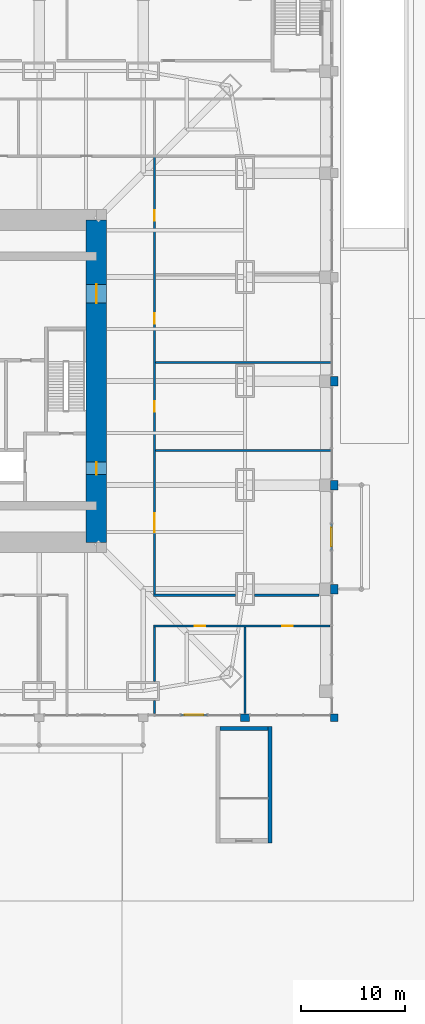
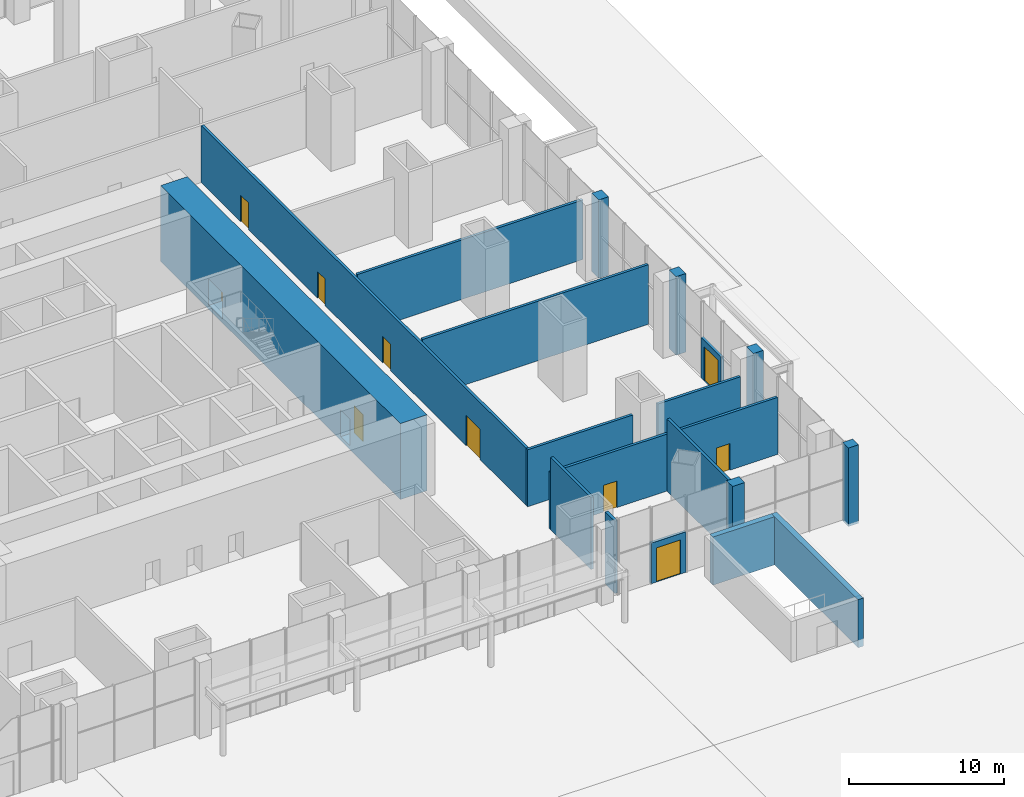
# One storey, part 24 of 31: 19 walls, 10 doors, 10 openings.
"""IFC4 building model written with IfcOpenShell, lengths in metres."""

from ifc_helpers import new_model, si_unit, direction, frame, frame_2d, origin, place, context, subcontext, project, spatial, rectangle, extrude, material, layer, layer_set, type_object, element, fill, save


model = new_model("IFC4")

# Units and contexts
model_context = context("Model", 3, precision=1e-05, world=origin(), true_north=direction((0.0, 1.0)))
body_context = subcontext(model_context, "Body", "Model", "MODEL_VIEW")
ifc_project = project(units=[si_unit("LENGTHUNIT", "METRE"), si_unit("AREAUNIT", "SQUARE_METRE"), si_unit("VOLUMEUNIT", "CUBIC_METRE"), si_unit("PLANEANGLEUNIT", "RADIAN"), si_unit("MASSUNIT", "GRAM", prefix="KILO")], contexts=[model_context])

# Site, building, storey
site_placement = place(None, origin())
site = spatial("IfcSite", under=ifc_project, at=site_placement, CompositionType="ELEMENT")
building_placement = place(site_placement, origin())
building = spatial("IfcBuilding", under=site, at=building_placement, Name="Khuree Lantern Residences", CompositionType="ELEMENT")
storey_placement = place(building_placement, origin())
storey = spatial("IfcBuildingStorey", under=building, at=storey_placement, Name="L00", CompositionType="ELEMENT", Elevation=0.0)

# Wall, openings, doors
ifc_material_1 = material(Name="Concrete C70/85", Category="concrete")
ifc_layer_1 = layer(ifc_material_1, 2.0)
ifc_layer_set_1 = layer_set([ifc_layer_1], Name="CW2000-C70 CORE WALL C70 2000")
wall_type_1 = type_object("IfcWallType", Name="CW2000-C70 CORE WALL C70 2000", PredefinedType="SHEAR", material=ifc_layer_set_1)
wall_1_placement = place(storey_placement, frame((15.5, -15.5, -0.300048828125), z_axis=(0.0, 0.0, 1.0), x_axis=(0.0, 1.0, 0.0)))
wall_1 = element("IfcWall", 1, at=wall_1_placement, inside=storey, type_object=wall_type_1, Name="Core wall E", PredefinedType="SHEAR", context=body_context, shape_type="SweptSolid", body=[
    extrude(rectangle(XDim=31.0, YDim=2.0, at=frame_2d((15.5, 0.0))), origin(), (0.0, 0.0, 1.0), 6.0),
])
opening_1_placement = place(wall_1_placement, frame((6.5, 0.0, 0.300048828125)))
opening_1 = element("IfcOpeningElement", 2, at=opening_1_placement, cuts=wall_1, Name="Opening 00-005", PredefinedType="OPENING", context=body_context, shape_type="SweptSolid", body=[
    extrude(rectangle(XDim=1.199951171875, YDim=2.10009765625, at=frame_2d((0.60009765625, 1.050048828125))), frame((0.0, 1.010009765625, 0.0), z_axis=(0.0, -1.0, 0.0), x_axis=(1.0, 0.0, 0.0)), (0.0, 0.0, 1.0), 2.02001953125),
])
opening_2_placement = place(wall_1_placement, frame((23.0, 0.0, 0.300048828125)))
opening_2 = element("IfcOpeningElement", 3, at=opening_2_placement, cuts=wall_1, Name="Opening 00-006", PredefinedType="OPENING", context=body_context, shape_type="SweptSolid", body=[
    extrude(rectangle(XDim=1.800048828125, YDim=2.10009765625, at=frame_2d((0.89990234375, 1.050048828125))), frame((0.0, 1.010009765625, 0.0), z_axis=(0.0, -1.0, 0.0), x_axis=(1.0, 0.0, 0.0)), (0.0, 0.0, 1.0), 2.02001953125),
])
ifc_material_2 = material(Name="Steel door leaf in steel frame", Category="steel")
door_type_1 = type_object("IfcDoorType", Name="LOBBY DOOR 1200X2100 EI 120", OperationType="SINGLE_SWING_LEFT", PredefinedType="DOOR", material=ifc_material_2)
door_1_placement = place(opening_1_placement, origin())
door_1 = element("IfcDoor", 4, at=door_1_placement, inside=storey, type_object=door_type_1, Name="Firefighting lobby door 00-005", OperationType="SINGLE_SWING_LEFT", OverallHeight=2.10009765625, OverallWidth=1.199951171875, PredefinedType="DOOR", context=body_context, shape_type="SweptSolid", body=[
    extrude(rectangle(XDim=1.199951171875, YDim=2.10009765625, at=frame_2d((0.60009765625, 1.050048828125))), frame((0.0, 0.02490234375, 0.0), z_axis=(0.0, -1.0, 0.0), x_axis=(1.0, 0.0, 0.0)), (0.0, 0.0, 1.0), 0.050048828125),
])
fill(opening_1, door_1)
door_type_2 = type_object("IfcDoorType", Name="LOBBY DOUBLE DOOR 1800X2100 EI 60", OperationType="DOUBLE_DOOR_SINGLE_SWING", PredefinedType="DOOR", material=ifc_material_2)
door_2_placement = place(opening_2_placement, origin())
door_2 = element("IfcDoor", 5, at=door_2_placement, inside=storey, type_object=door_type_2, Name="Lift lobby door 00-006", OperationType="DOUBLE_DOOR_SINGLE_SWING", OverallHeight=2.10009765625, OverallWidth=1.800048828125, PredefinedType="DOOR", context=body_context, shape_type="SweptSolid", body=[
    extrude(rectangle(XDim=1.800048828125, YDim=2.10009765625, at=frame_2d((0.89990234375, 1.050048828125))), frame((0.0, 0.02490234375, 0.0), z_axis=(0.0, -1.0, 0.0), x_axis=(1.0, 0.0, 0.0)), (0.0, 0.0, 1.0), 0.050048828125),
])
fill(opening_2, door_2)

# Wall, opening, door
ifc_material_3 = material(Name="Bronze anodised aluminium insulated panel surround", Category="aluminium")
ifc_layer_2 = layer(ifc_material_3, 0.199951171875)
ifc_layer_set_2 = layer_set([ifc_layer_2], Name="ENTRANCE SCREEN ES1 200")
wall_type_2 = type_object("IfcWallType", Name="ENTRANCE SCREEN ES1 200", PredefinedType="ELEMENTEDWALL", material=ifc_layer_set_2)
wall_2_placement = place(storey_placement, frame((23.60009765625, -32.10009765625, 0.0), z_axis=(0.0, 0.0, 1.0), x_axis=(1.0, 0.0, 0.0)))
wall_2 = element("IfcWall", 6, at=wall_2_placement, inside=storey, type_object=wall_type_2, Name="L00 SOUTH FACE BAY 7 ENTRANCE SCREEN", PredefinedType="ELEMENTEDWALL", context=body_context, shape_type="SweptSolid", body=[
    extrude(rectangle(XDim=2.599853515625, YDim=0.199951171875, at=frame_2d((1.2998046875, 0.0))), origin(), (0.0, 0.0, 1.0), 3.199951171875),
])
opening_3_placement = place(wall_2_placement, frame((2.199951171875, 0.0, 0.0), z_axis=(0.0, 0.0, 1.0), x_axis=(-1.0, 0.0, 0.0)))
opening_3 = element("IfcOpeningElement", 7, at=opening_3_placement, cuts=wall_2, Name="Opening 00-E05", PredefinedType="OPENING", context=body_context, shape_type="SweptSolid", body=[
    extrude(rectangle(XDim=1.800048828125, YDim=2.699951171875, at=frame_2d((0.89990234375, 1.35009765625))), frame((0.0, 0.10986328125, 0.0), z_axis=(0.0, -1.0, 0.0), x_axis=(1.0, 0.0, 0.0)), (0.0, 0.0, 1.0), 0.219970703125),
])
ifc_material_4 = material(Name="Thermally broken bronze anodised aluminium door set, laminated triple glazing", Category="aluminium")
door_type_3 = type_object("IfcDoorType", Name="ENTRANCE DOOR D-E1 1800X2700", OperationType="DOUBLE_DOOR_SINGLE_SWING", PredefinedType="DOOR", material=ifc_material_4)
door_3_placement = place(opening_3_placement, origin())
door_3 = element("IfcDoor", 8, at=door_3_placement, inside=storey, type_object=door_type_3, Name="L00 SOUTH FACE BAY 7 PLAZA ENTRANCE DOOR 00-E05", OperationType="SINGLE_SWING_LEFT", OverallHeight=2.699951171875, OverallWidth=1.800048828125, PredefinedType="DOOR", context=body_context, shape_type="SweptSolid", body=[
    extrude(rectangle(XDim=1.800048828125, YDim=2.699951171875, at=frame_2d((0.89990234375, 1.35009765625))), frame((0.0, 0.02490234375, 0.0), z_axis=(0.0, -1.0, 0.0), x_axis=(1.0, 0.0, 0.0)), (0.0, 0.0, 1.0), 0.050048828125),
])
fill(opening_3, door_3)

wall_3_placement = place(storey_placement, frame((38.10009765625, -16.300048828125, 0.0), z_axis=(0.0, 0.0, 1.0), x_axis=(0.0, 1.0, 0.0)))
wall_3 = element("IfcWall", 9, at=wall_3_placement, inside=storey, type_object=wall_type_2, Name="L00 EAST FACE BAY 2 ENTRANCE SCREEN", PredefinedType="ELEMENTEDWALL", context=body_context, shape_type="SweptSolid", body=[
    extrude(rectangle(XDim=2.60009765625, YDim=0.199951171875, at=frame_2d((1.300048828125, 0.0))), origin(), (0.0, 0.0, 1.0), 3.199951171875),
])
opening_4_placement = place(wall_3_placement, frame((2.199951171875, 0.0, 0.0), z_axis=(0.0, 0.0, 1.0), x_axis=(-1.0, 0.0, 0.0)))
opening_4 = element("IfcOpeningElement", 10, at=opening_4_placement, cuts=wall_3, Name="Opening 00-E06", PredefinedType="OPENING", context=body_context, shape_type="SweptSolid", body=[
    extrude(rectangle(XDim=1.800048828125, YDim=2.699951171875, at=frame_2d((0.89990234375, 1.35009765625))), frame((0.0, 0.10986328125, 0.0), z_axis=(0.0, -1.0, 0.0), x_axis=(1.0, 0.0, 0.0)), (0.0, 0.0, 1.0), 0.219970703125),
])
door_4_placement = place(opening_4_placement, origin())
door_4 = element("IfcDoor", 11, at=door_4_placement, inside=storey, type_object=door_type_3, Name="L00 EAST FACE BAY 2 PLAZA ENTRANCE DOOR 00-E06", OperationType="SINGLE_SWING_LEFT", OverallHeight=2.699951171875, OverallWidth=1.800048828125, PredefinedType="DOOR", context=body_context, shape_type="SweptSolid", body=[
    extrude(rectangle(XDim=1.800048828125, YDim=2.699951171875, at=frame_2d((0.89990234375, 1.35009765625))), frame((0.0, 0.02490234375, 0.0), z_axis=(0.0, -1.0, 0.0), x_axis=(1.0, 0.0, 0.0)), (0.0, 0.0, 1.0), 0.050048828125),
])
fill(opening_4, door_4)

# Walls
ifc_material_5 = material(Name="Flamed granite cladding on blockwork", Category="masonry")
ifc_layer_3 = layer(ifc_material_5, 0.75)
ifc_layer_set_3 = layer_set([ifc_layer_3], Name="PODIUM PIER PR1 900X750")
wall_type_3 = type_object("IfcWallType", Name="PODIUM PIER PR1 900X750", PredefinedType="SOLIDWALL", material=ifc_layer_set_3)
wall_4_placement = place(storey_placement, frame((29.35009765625, -32.375, -0.199951171875), z_axis=(0.0, 0.0, 1.0), x_axis=(1.0, 0.0, 0.0)))
element("IfcWall", 12, at=wall_4_placement, inside=storey, type_object=wall_type_3, Name="L00 SOUTH FACE PIER 7", PredefinedType="SOLIDWALL", context=body_context, shape_type="SweptSolid", body=[
    extrude(rectangle(XDim=0.89990234375, YDim=0.75, at=frame_2d((0.449951171875, 0.0))), origin(), (0.0, 0.0, 1.0), 6.199951171875),
])
wall_5_placement = place(storey_placement, frame((38.0, -32.375, -0.199951171875), z_axis=(0.0, 0.0, 1.0), x_axis=(1.0, 0.0, 0.0)))
element("IfcWall", 13, at=wall_5_placement, inside=storey, type_object=wall_type_3, Name="L00 SOUTH FACE PIER 8", PredefinedType="SOLIDWALL", context=body_context, shape_type="SweptSolid", body=[
    extrude(rectangle(XDim=0.75, YDim=0.75, at=frame_2d((0.375, 0.0))), origin(), (0.0, 0.0, 1.0), 6.199951171875),
])
for number, where, z_axis, x_axis, name in (
    (14, (38.375, -20.449951171875, -0.199951171875), (0.0, 0.0, 1.0), (0.0, 1.0, 0.0), "L00 EAST FACE PIER 1"),
    (15, (38.375, -10.449951171875, -0.199951171875), (0.0, 0.0, 1.0), (0.0, 1.0, 0.0), "L00 EAST FACE PIER 2"),
    (16, (38.375, -0.449951171875, -0.199951171875), (0.0, 0.0, 1.0), (0.0, 1.0, 0.0), "L00 EAST FACE PIER 3"),
):
    element("IfcWall", number, at=place(storey_placement, frame(where, z_axis=z_axis, x_axis=x_axis)), inside=storey, type_object=wall_type_3, Name=name, PredefinedType="SOLIDWALL", context=body_context, shape_type="SweptSolid", body=[
        extrude(rectangle(XDim=0.89990234375, YDim=0.75, at=frame_2d((0.449951171875, 0.0))), origin(), (0.0, 0.0, 1.0), 6.199951171875),
    ])
ifc_material_6 = material(Name="Dense concrete blockwork", Category="masonry")
ifc_layer_4 = layer(ifc_material_6, 0.199951171875)
ifc_layer_set_4 = layer_set([ifc_layer_4], Name="ROOM WALL RMW200")
wall_type_4 = type_object("IfcWallType", Name="ROOM WALL RMW200", PredefinedType="SOLIDWALL", material=ifc_layer_set_4)
wall_6_placement = place(storey_placement, frame((21.111083984375, -31.97998046875, 0.0), z_axis=(0.0, 0.0, 1.0), x_axis=(0.0, 1.0, 0.0)))
element("IfcWall", 17, at=wall_6_placement, inside=storey, type_object=wall_type_4, Name="L00 ROOM WALL 7", PredefinedType="SOLIDWALL", context=body_context, shape_type="SweptSolid", body=[
    extrude(rectangle(XDim=1.25, YDim=0.199951171875, at=frame_2d((0.625, 0.0))), origin(), (0.0, 0.0, 1.0), 5.699951171875),
])
wall_7_placement = place(storey_placement, frame((29.800048828125, -31.97998046875, 0.0), z_axis=(0.0, 0.0, 1.0), x_axis=(0.0, 1.0, 0.0)))
element("IfcWall", 18, at=wall_7_placement, inside=storey, type_object=wall_type_4, Name="L00 ROOM WALL 8", PredefinedType="SOLIDWALL", context=body_context, shape_type="SweptSolid", body=[
    extrude(rectangle(XDim=8.323974609375, YDim=0.199951171875, at=frame_2d((4.162109375, 0.0))), origin(), (0.0, 0.0, 1.0), 5.699951171875),
])
wall_8_placement = place(storey_placement, frame((21.111083984375, -28.869873046875, 0.0), z_axis=(0.0, 0.0, 1.0), x_axis=(0.0, 1.0, 0.0)))
element("IfcWall", 19, at=wall_8_placement, inside=storey, type_object=wall_type_4, Name="L00 ROOM WALL 11", PredefinedType="SOLIDWALL", context=body_context, shape_type="SweptSolid", body=[
    extrude(rectangle(XDim=5.2138671875, YDim=0.199951171875, at=frame_2d((2.60693359375, 0.0))), origin(), (0.0, 0.0, 1.0), 5.699951171875),
])

# Wall, openings, doors
wall_9_placement = place(storey_placement, frame((21.010986328125, -23.555908203125, 0.0), z_axis=(0.0, 0.0, 1.0), x_axis=(1.0, 0.0, 0.0)))
wall_9 = element("IfcWall", 20, at=wall_9_placement, inside=storey, type_object=wall_type_4, Name="L00 ROOM WALL 14", PredefinedType="SOLIDWALL", context=body_context, shape_type="SweptSolid", body=[
    extrude(rectangle(XDim=16.968994140625, YDim=0.199951171875, at=frame_2d((8.484375, 0.0))), origin(), (0.0, 0.0, 1.0), 4.5),
])
opening_5_placement = place(wall_9_placement, frame((3.95458984375, 0.0, 0.0)))
opening_5 = element("IfcOpeningElement", 21, at=opening_5_placement, cuts=wall_9, Name="Opening 00-035", PredefinedType="OPENING", context=body_context, shape_type="SweptSolid", body=[
    extrude(rectangle(XDim=1.0, YDim=2.10009765625, at=frame_2d((0.5, 1.050048828125))), frame((0.0, 0.10986328125, 0.0), z_axis=(0.0, -1.0, 0.0), x_axis=(1.0, 0.0, 0.0)), (0.0, 0.0, 1.0), 0.219970703125),
])
opening_6_placement = place(wall_9_placement, frame((12.388916015625, 0.0, 0.0)))
opening_6 = element("IfcOpeningElement", 22, at=opening_6_placement, cuts=wall_9, Name="Opening 00-058", PredefinedType="OPENING", context=body_context, shape_type="SweptSolid", body=[
    extrude(rectangle(XDim=1.0, YDim=2.10009765625, at=frame_2d((0.5, 1.050048828125))), frame((0.0, 0.10986328125, 0.0), z_axis=(0.0, -1.0, 0.0), x_axis=(1.0, 0.0, 0.0)), (0.0, 0.0, 1.0), 0.219970703125),
])
ifc_material_7 = material(Name="Timber door leaf in hardwood frame", Category="wood")
door_type_4 = type_object("IfcDoorType", Name="DOOR 1000X2100", OperationType="SINGLE_SWING_LEFT", PredefinedType="DOOR", material=ifc_material_7)
door_5_placement = place(opening_5_placement, origin())
door_5 = element("IfcDoor", 23, at=door_5_placement, inside=storey, type_object=door_type_4, Name="Security office door 00-035", OperationType="SINGLE_SWING_LEFT", OverallHeight=2.10009765625, OverallWidth=1.0, PredefinedType="DOOR", context=body_context, shape_type="SweptSolid", body=[
    extrude(rectangle(XDim=1.0, YDim=2.10009765625, at=frame_2d((0.5, 1.050048828125))), frame((0.0, 0.02490234375, 0.0), z_axis=(0.0, -1.0, 0.0), x_axis=(1.0, 0.0, 0.0)), (0.0, 0.0, 1.0), 0.050048828125),
])
fill(opening_5, door_5)
door_6_placement = place(opening_6_placement, origin())
door_6 = element("IfcDoor", 24, at=door_6_placement, inside=storey, type_object=door_type_4, Name="Security control room door 00-058", OperationType="SINGLE_SWING_LEFT", OverallHeight=2.10009765625, OverallWidth=1.0, PredefinedType="DOOR", context=body_context, shape_type="SweptSolid", body=[
    extrude(rectangle(XDim=1.0, YDim=2.10009765625, at=frame_2d((0.5, 1.050048828125))), frame((0.0, 0.02490234375, 0.0), z_axis=(0.0, -1.0, 0.0), x_axis=(1.0, 0.0, 0.0)), (0.0, 0.0, 1.0), 0.050048828125),
])
fill(opening_6, door_6)

# Walls
wall_10_placement = place(storey_placement, frame((21.010986328125, -20.591064453125, 0.0), z_axis=(0.0, 0.0, 1.0), x_axis=(1.0, 0.0, 0.0)))
element("IfcWall", 25, at=wall_10_placement, inside=storey, type_object=wall_type_4, Name="L00 ROOM WALL 18", PredefinedType="SOLIDWALL", context=body_context, shape_type="SweptSolid", body=[
    extrude(rectangle(XDim=7.85888671875, YDim=0.199951171875, at=frame_2d((3.929443359375, 0.0))), origin(), (0.0, 0.0, 1.0), 4.5),
])
wall_11_placement = place(storey_placement, frame((30.72998046875, -20.591064453125, 0.0), z_axis=(0.0, 0.0, 1.0), x_axis=(1.0, 0.0, 0.0)))
element("IfcWall", 26, at=wall_11_placement, inside=storey, type_object=wall_type_4, Name="L00 ROOM WALL 19", PredefinedType="SOLIDWALL", context=body_context, shape_type="SweptSolid", body=[
    extrude(rectangle(XDim=6.18994140625, YDim=0.199951171875, at=frame_2d((3.094970703125, 0.0))), origin(), (0.0, 0.0, 1.0), 4.699951171875),
])

# Wall, openings, doors
wall_12_placement = place(storey_placement, frame((21.111083984375, -20.490966796875, 0.0), z_axis=(0.0, 0.0, 1.0), x_axis=(0.0, 1.0, 0.0)))
wall_12 = element("IfcWall", 27, at=wall_12_placement, inside=storey, type_object=wall_type_4, Name="L00 ROOM WALL 21", PredefinedType="SOLIDWALL", context=body_context, shape_type="SweptSolid", body=[
    extrude(rectangle(XDim=42.02197265625, YDim=0.199951171875, at=frame_2d((21.010986328125, 0.0))), origin(), (0.0, 0.0, 1.0), 4.5),
])
opening_7_placement = place(wall_12_placement, frame((5.9619140625, 0.0, 0.0)))
opening_7 = element("IfcOpeningElement", 28, at=opening_7_placement, cuts=wall_12, Name="Opening 00-040", PredefinedType="OPENING", context=body_context, shape_type="SweptSolid", body=[
    extrude(rectangle(XDim=1.800048828125, YDim=2.39990234375, at=frame_2d((0.89990234375, 1.199951171875))), frame((0.0, 0.10986328125, 0.0), z_axis=(0.0, -1.0, 0.0), x_axis=(1.0, 0.0, 0.0)), (0.0, 0.0, 1.0), 0.219970703125),
])
opening_8_placement = place(wall_12_placement, frame((17.54638671875, 0.0, 0.0)))
opening_8 = element("IfcOpeningElement", 29, at=opening_8_placement, cuts=wall_12, Name="Opening 00-041", PredefinedType="OPENING", context=body_context, shape_type="SweptSolid", body=[
    extrude(rectangle(XDim=1.0, YDim=2.10009765625, at=frame_2d((0.5, 1.050048828125))), frame((0.0, 0.10986328125, 0.0), z_axis=(0.0, -1.0, 0.0), x_axis=(1.0, 0.0, 0.0)), (0.0, 0.0, 1.0), 0.219970703125),
])
opening_9_placement = place(wall_12_placement, frame((25.990966796875, 0.0, 0.0)))
opening_9 = element("IfcOpeningElement", 30, at=opening_9_placement, cuts=wall_12, Name="Opening 00-042", PredefinedType="OPENING", context=body_context, shape_type="SweptSolid", body=[
    extrude(rectangle(XDim=1.0, YDim=2.10009765625, at=frame_2d((0.5, 1.050048828125))), frame((0.0, 0.10986328125, 0.0), z_axis=(0.0, -1.0, 0.0), x_axis=(1.0, 0.0, 0.0)), (0.0, 0.0, 1.0), 0.219970703125),
])
opening_10_placement = place(wall_12_placement, frame((35.91748046875, 0.0, 0.0)))
opening_10 = element("IfcOpeningElement", 31, at=opening_10_placement, cuts=wall_12, Name="Opening 00-043", PredefinedType="OPENING", context=body_context, shape_type="SweptSolid", body=[
    extrude(rectangle(XDim=1.0, YDim=2.10009765625, at=frame_2d((0.5, 1.050048828125))), frame((0.0, 0.10986328125, 0.0), z_axis=(0.0, -1.0, 0.0), x_axis=(1.0, 0.0, 0.0)), (0.0, 0.0, 1.0), 0.219970703125),
])
door_7_placement = place(opening_8_placement, origin())
door_7 = element("IfcDoor", 32, at=door_7_placement, inside=storey, type_object=door_type_4, Name="Hair salon door 00-041", OperationType="SINGLE_SWING_LEFT", OverallHeight=2.10009765625, OverallWidth=1.0, PredefinedType="DOOR", context=body_context, shape_type="SweptSolid", body=[
    extrude(rectangle(XDim=1.0, YDim=2.10009765625, at=frame_2d((0.5, 1.050048828125))), frame((0.0, 0.02490234375, 0.0), z_axis=(0.0, -1.0, 0.0), x_axis=(1.0, 0.0, 0.0)), (0.0, 0.0, 1.0), 0.050048828125),
])
fill(opening_8, door_7)
door_8_placement = place(opening_9_placement, origin())
door_8 = element("IfcDoor", 33, at=door_8_placement, inside=storey, type_object=door_type_4, Name="Kids club door 00-042", OperationType="SINGLE_SWING_LEFT", OverallHeight=2.10009765625, OverallWidth=1.0, PredefinedType="DOOR", context=body_context, shape_type="SweptSolid", body=[
    extrude(rectangle(XDim=1.0, YDim=2.10009765625, at=frame_2d((0.5, 1.050048828125))), frame((0.0, 0.02490234375, 0.0), z_axis=(0.0, -1.0, 0.0), x_axis=(1.0, 0.0, 0.0)), (0.0, 0.0, 1.0), 0.050048828125),
])
fill(opening_9, door_8)
door_9_placement = place(opening_10_placement, origin())
door_9 = element("IfcDoor", 34, at=door_9_placement, inside=storey, type_object=door_type_4, Name="Co-working office door 00-043", OperationType="SINGLE_SWING_LEFT", OverallHeight=2.10009765625, OverallWidth=1.0, PredefinedType="DOOR", context=body_context, shape_type="SweptSolid", body=[
    extrude(rectangle(XDim=1.0, YDim=2.10009765625, at=frame_2d((0.5, 1.050048828125))), frame((0.0, 0.02490234375, 0.0), z_axis=(0.0, -1.0, 0.0), x_axis=(1.0, 0.0, 0.0)), (0.0, 0.0, 1.0), 0.050048828125),
])
fill(opening_10, door_9)
door_type_5 = type_object("IfcDoorType", Name="DOUBLE DOOR 1800X2400", OperationType="DOUBLE_DOOR_SINGLE_SWING", PredefinedType="DOOR", material=ifc_material_7)
door_10_placement = place(opening_7_placement, origin())
door_10 = element("IfcDoor", 35, at=door_10_placement, inside=storey, type_object=door_type_5, Name="Retail unit door 00-040", OperationType="DOUBLE_DOOR_SINGLE_SWING", OverallHeight=2.39990234375, OverallWidth=1.800048828125, PredefinedType="DOOR", context=body_context, shape_type="SweptSolid", body=[
    extrude(rectangle(XDim=1.800048828125, YDim=2.39990234375, at=frame_2d((0.89990234375, 1.199951171875))), frame((0.0, 0.02490234375, 0.0), z_axis=(0.0, -1.0, 0.0), x_axis=(1.0, 0.0, 0.0)), (0.0, 0.0, 1.0), 0.050048828125),
])
fill(opening_7, door_10)

# Walls
for number, where, z_axis, x_axis, name in (
    (36, (21.2109375, -6.6669921875, 0.0), (0.0, 0.0, 1.0), (1.0, 0.0, 0.0), "L00 ROOM WALL 23"),
    (37, (21.2109375, 1.778076171875, 0.0), (0.0, 0.0, 1.0), (1.0, 0.0, 0.0), "L00 ROOM WALL 25"),
):
    element("IfcWall", number, at=place(storey_placement, frame(where, z_axis=z_axis, x_axis=x_axis)), inside=storey, type_object=wall_type_4, Name=name, PredefinedType="SOLIDWALL", context=body_context, shape_type="SweptSolid", body=[
        extrude(rectangle(XDim=16.864013671875, YDim=0.199951171875, at=frame_2d((8.43212890625, 0.0))), origin(), (0.0, 0.0, 1.0), 4.699951171875),
    ])
ifc_material_8 = material(Name="Concrete C40/50", Category="concrete")
ifc_layer_5 = layer(ifc_material_8, 0.39990234375)
ifc_layer_set_5 = layer_set([ifc_layer_5], Name="STAIR KIOSK WALL KW400 EXTERNAL")
wall_type_5 = type_object("IfcWallType", Name="STAIR KIOSK WALL KW400 EXTERNAL", PredefinedType="SOLIDWALL", material=ifc_layer_set_5)
wall_13_placement = place(storey_placement, frame((32.199951171875, -44.39990234375, -0.60009765625), z_axis=(0.0, 0.0, 1.0), x_axis=(0.0, 1.0, 0.0)))
element("IfcWall", 38, at=wall_13_placement, inside=storey, type_object=wall_type_5, Name="L00 STAIR KIOSK ST6 WALL E", PredefinedType="SOLIDWALL", context=body_context, shape_type="SweptSolid", body=[
    extrude(rectangle(XDim=11.199951171875, YDim=0.39990234375, at=frame_2d((5.60009765625, 0.0))), origin(), (0.0, 0.0, 1.0), 3.800048828125),
])
wall_14_placement = place(storey_placement, frame((27.39990234375, -33.39990234375, -0.60009765625), z_axis=(0.0, 0.0, 1.0), x_axis=(1.0, 0.0, 0.0)))
element("IfcWall", 39, at=wall_14_placement, inside=storey, type_object=wall_type_5, Name="L00 STAIR KIOSK ST6 WALL N", PredefinedType="SOLIDWALL", context=body_context, shape_type="SweptSolid", body=[
    extrude(rectangle(XDim=4.60009765625, YDim=0.39990234375, at=frame_2d((2.300048828125, 0.0))), origin(), (0.0, 0.0, 1.0), 3.800048828125),
])

save(model, "model.ifc")
